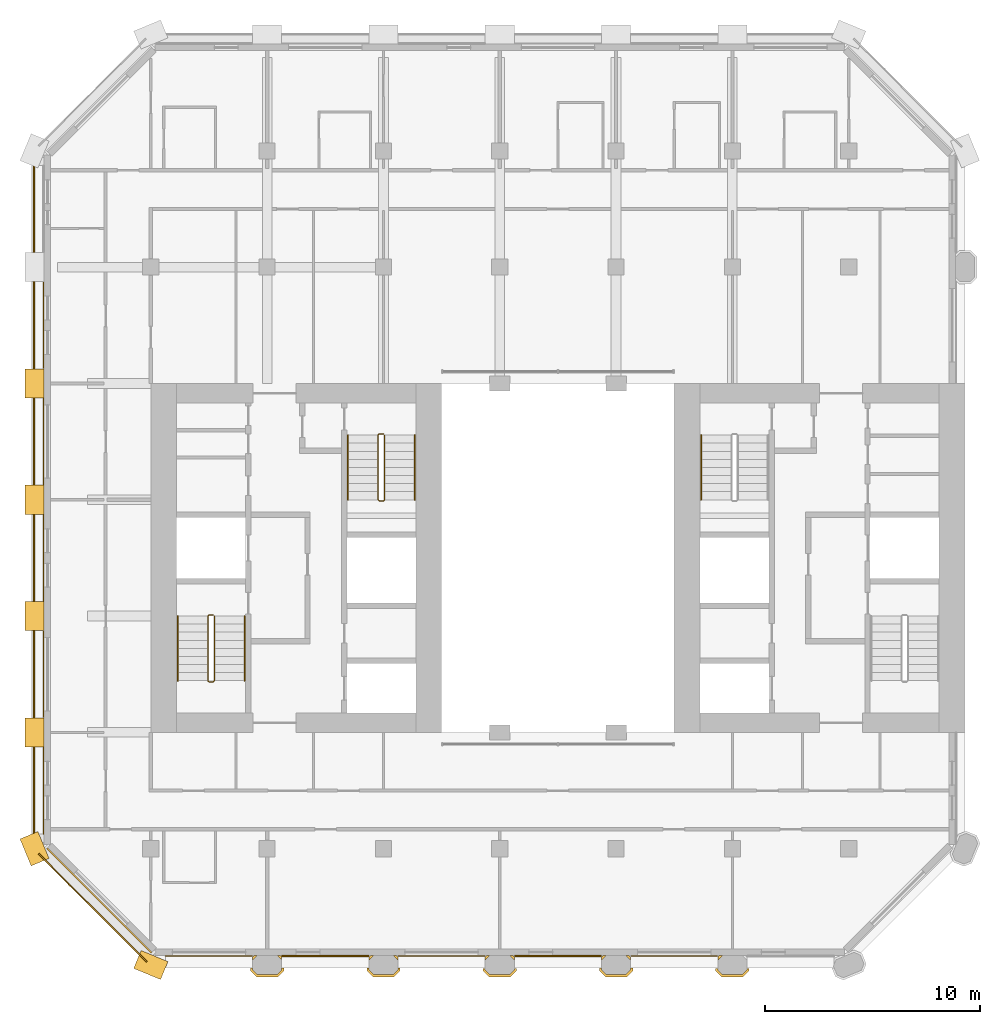
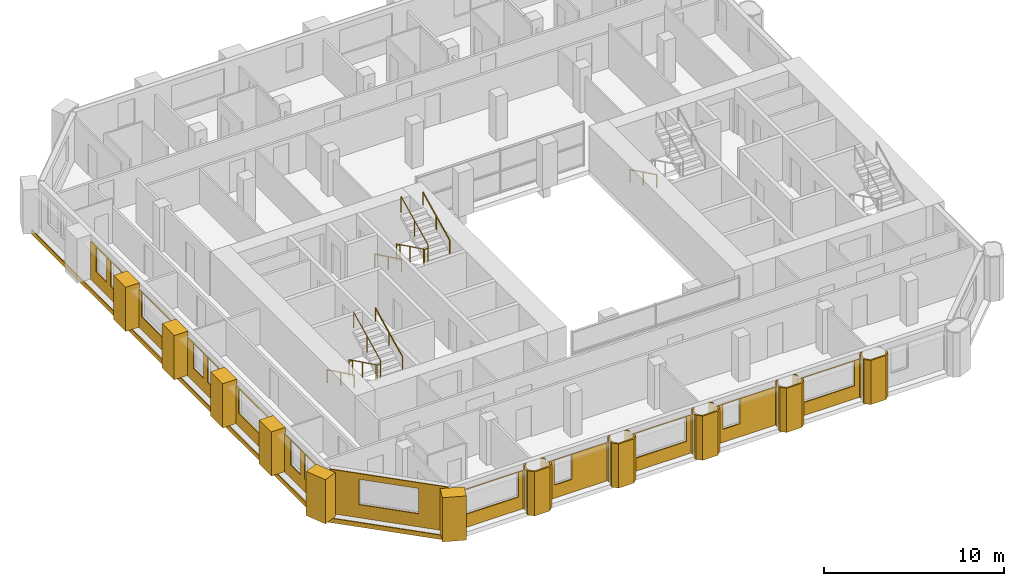
# One storey, part 12 of 14: 33 coverings, 7 railings.
"""IFC4 building model written with IfcOpenShell, lengths in metres."""

from ifc_helpers import new_model, si_unit, direction, frame, frame_2d, origin, origin_2d, place, context, subcontext, project, spatial, polyline, rectangle, circle, outline, extrude, material, layer, layer_set, type_object, element, save


model = new_model("IFC4")

# Units and contexts
model_context = context("Model", 3, precision=1e-05, world=origin(), true_north=direction((0.0, 1.0)))
body_context = subcontext(model_context, "Body", "Model", "MODEL_VIEW")
ifc_project = project(units=[si_unit("LENGTHUNIT", "METRE"), si_unit("AREAUNIT", "SQUARE_METRE"), si_unit("VOLUMEUNIT", "CUBIC_METRE"), si_unit("PLANEANGLEUNIT", "RADIAN"), si_unit("MASSUNIT", "GRAM", prefix="KILO")], contexts=[model_context])

# Site, building, storey
site_placement = place(None, origin())
site = spatial("IfcSite", under=ifc_project, at=site_placement, CompositionType="ELEMENT")
building_placement = place(site_placement, origin())
building = spatial("IfcBuilding", under=site, at=building_placement, Name="Tabaq Tower and Sports Hall", CompositionType="ELEMENT")
storey_placement = place(building_placement, frame((0.0, 0.0, 226.89990234375)))
storey = spatial("IfcBuildingStorey", under=building, at=storey_placement, Name="L57", CompositionType="ELEMENT", Elevation=226.89990234375)

# Coverings
ifc_material_1 = material(Name="Precast concrete C60/75", Category="concrete")
ifc_layer_1 = layer(ifc_material_1, 0.10009765625)
ifc_layer_set_1 = layer_set([ifc_layer_1], Name="Column cladding 100")
covering_type_1 = type_object("IfcCoveringType", Name="Column cladding 100", PredefinedType="CLADDING", material=ifc_layer_set_1)
covering_1_placement = place(storey_placement, origin())
element("IfcCovering", 1, at=covering_1_placement, inside=storey, type_object=covering_type_1, Name="Column cladding L57 PC-3B-H3", PredefinedType="CLADDING", context=body_context, shape_type="SweptSolid", body=[
    extrude(outline(polyline([(10.025390625, 5.249755859375), (10.124755859375, 5.249755859375), (10.124755859375, 5.1748046875), (10.349853515625, 4.94970703125), (11.250244140625, 4.94970703125), (11.475341796875, 5.1748046875), (11.475341796875, 5.249755859375), (11.57470703125, 5.249755859375), (11.57470703125, 5.1337890625), (11.291259765625, 4.850341796875), (10.30859375, 4.850341796875), (10.025390625, 5.1337890625), (10.025390625, 5.249755859375)])), origin(), (0.0, 0.0, 1.0), 3.0),
])
covering_2_placement = place(storey_placement, origin())
element("IfcCovering", 2, at=covering_2_placement, inside=storey, type_object=covering_type_1, Name="Column cladding L57 PC-3B-H3 2", PredefinedType="CLADDING", context=body_context, shape_type="SweptSolid", body=[
    extrude(outline(polyline([(10.208740234375, 5.849609375), (10.349365234375, 5.849609375), (10.125244140625, 5.625732421875), (10.125244140625, 5.766357421875), (10.208740234375, 5.849609375)])), origin(), (0.0, 0.0, 1.0), 3.0),
])
covering_3_placement = place(storey_placement, origin())
element("IfcCovering", 3, at=covering_3_placement, inside=storey, type_object=covering_type_1, Name="Column cladding L57 PC-3B-H3 3", PredefinedType="CLADDING", context=body_context, shape_type="SweptSolid", body=[
    extrude(outline(polyline([(11.474609375, 5.766357421875), (11.474609375, 5.625732421875), (11.250732421875, 5.849609375), (11.391357421875, 5.849609375), (11.474609375, 5.766357421875)])), origin(), (0.0, 0.0, 1.0), 3.0),
])
covering_4_placement = place(storey_placement, origin())
element("IfcCovering", 4, at=covering_4_placement, inside=storey, type_object=covering_type_1, Name="Column cladding L57 PC-4B-H3", PredefinedType="CLADDING", context=body_context, shape_type="SweptSolid", body=[
    extrude(outline(polyline([(15.42529296875, 5.249755859375), (15.524658203125, 5.249755859375), (15.524658203125, 5.1748046875), (15.749755859375, 4.94970703125), (16.650146484375, 4.94970703125), (16.875244140625, 5.1748046875), (16.875244140625, 5.249755859375), (16.974609375, 5.249755859375), (16.974609375, 5.1337890625), (16.69140625, 4.850341796875), (15.708740234375, 4.850341796875), (15.42529296875, 5.1337890625), (15.42529296875, 5.249755859375)])), origin(), (0.0, 0.0, 1.0), 3.0),
])
covering_5_placement = place(storey_placement, origin())
element("IfcCovering", 5, at=covering_5_placement, inside=storey, type_object=covering_type_1, Name="Column cladding L57 PC-4B-H3 2", PredefinedType="CLADDING", context=body_context, shape_type="SweptSolid", body=[
    extrude(outline(polyline([(16.874755859375, 5.766357421875), (16.874755859375, 5.625732421875), (16.650634765625, 5.849609375), (16.791259765625, 5.849609375), (16.874755859375, 5.766357421875)])), origin(), (0.0, 0.0, 1.0), 3.0),
])
covering_6_placement = place(storey_placement, origin())
element("IfcCovering", 6, at=covering_6_placement, inside=storey, type_object=covering_type_1, Name="Column cladding L57 PC-4B-H3 3", PredefinedType="CLADDING", context=body_context, shape_type="SweptSolid", body=[
    extrude(outline(polyline([(15.608642578125, 5.849609375), (15.749267578125, 5.849609375), (15.525390625, 5.625732421875), (15.525390625, 5.766357421875), (15.608642578125, 5.849609375)])), origin(), (0.0, 0.0, 1.0), 3.0),
])
covering_7_placement = place(storey_placement, origin())
element("IfcCovering", 7, at=covering_7_placement, inside=storey, type_object=covering_type_1, Name="Column cladding L57 PC-5B-H3", PredefinedType="CLADDING", context=body_context, shape_type="SweptSolid", body=[
    extrude(outline(polyline([(20.82568359375, 5.24951171875), (20.92431640625, 5.24951171875), (20.92431640625, 5.1748046875), (21.149658203125, 4.949462890625), (22.05029296875, 4.949462890625), (22.275634765625, 5.1748046875), (22.275634765625, 5.24951171875), (22.37451171875, 5.24951171875), (22.37451171875, 5.1337890625), (22.091064453125, 4.8505859375), (21.10888671875, 4.8505859375), (20.82568359375, 5.1337890625), (20.82568359375, 5.24951171875)])), origin(), (0.0, 0.0, 1.0), 3.0),
])
covering_8_placement = place(storey_placement, origin())
element("IfcCovering", 8, at=covering_8_placement, inside=storey, type_object=covering_type_1, Name="Column cladding L57 PC-5B-H3 2", PredefinedType="CLADDING", context=body_context, shape_type="SweptSolid", body=[
    extrude(outline(polyline([(22.274658203125, 5.766357421875), (22.274658203125, 5.625732421875), (22.05078125, 5.849609375), (22.19140625, 5.849609375), (22.274658203125, 5.766357421875)])), origin(), (0.0, 0.0, 1.0), 3.0),
])
covering_9_placement = place(storey_placement, origin())
element("IfcCovering", 9, at=covering_9_placement, inside=storey, type_object=covering_type_1, Name="Column cladding L57 PC-5B-H3 3", PredefinedType="CLADDING", context=body_context, shape_type="SweptSolid", body=[
    extrude(outline(polyline([(20.925537109375, 5.62646484375), (20.925537109375, 5.76611328125), (21.0087890625, 5.849365234375), (21.1484375, 5.849365234375), (20.925537109375, 5.62646484375)])), origin(), (0.0, 0.0, 1.0), 3.0),
])
covering_10_placement = place(storey_placement, origin())
element("IfcCovering", 10, at=covering_10_placement, inside=storey, type_object=covering_type_1, Name="Column cladding L57 PC-6B-H3", PredefinedType="CLADDING", context=body_context, shape_type="SweptSolid", body=[
    extrude(outline(polyline([(26.225341796875, 5.249755859375), (26.32470703125, 5.249755859375), (26.32470703125, 5.1748046875), (26.5498046875, 4.94970703125), (27.4501953125, 4.94970703125), (27.67529296875, 5.1748046875), (27.67529296875, 5.249755859375), (27.774658203125, 5.249755859375), (27.774658203125, 5.1337890625), (27.4912109375, 4.850341796875), (26.5087890625, 4.850341796875), (26.225341796875, 5.1337890625), (26.225341796875, 5.249755859375)])), origin(), (0.0, 0.0, 1.0), 3.0),
])
covering_11_placement = place(storey_placement, origin())
element("IfcCovering", 11, at=covering_11_placement, inside=storey, type_object=covering_type_1, Name="Column cladding L57 PC-6B-H3 2", PredefinedType="CLADDING", context=body_context, shape_type="SweptSolid", body=[
    extrude(outline(polyline([(26.40869140625, 5.849609375), (26.54931640625, 5.849609375), (26.3251953125, 5.625732421875), (26.3251953125, 5.766357421875), (26.40869140625, 5.849609375)])), origin(), (0.0, 0.0, 1.0), 3.0),
])
covering_12_placement = place(storey_placement, origin())
element("IfcCovering", 12, at=covering_12_placement, inside=storey, type_object=covering_type_1, Name="Column cladding L57 PC-6B-H3 3", PredefinedType="CLADDING", context=body_context, shape_type="SweptSolid", body=[
    extrude(outline(polyline([(27.6748046875, 5.766357421875), (27.6748046875, 5.625732421875), (27.45068359375, 5.849609375), (27.59130859375, 5.849609375), (27.6748046875, 5.766357421875)])), origin(), (0.0, 0.0, 1.0), 3.0),
])
covering_13_placement = place(storey_placement, origin())
element("IfcCovering", 13, at=covering_13_placement, inside=storey, type_object=covering_type_1, Name="Column cladding L57 PC-7B-H3", PredefinedType="CLADDING", context=body_context, shape_type="SweptSolid", body=[
    extrude(outline(polyline([(31.62548828125, 5.24951171875), (31.724365234375, 5.24951171875), (31.724365234375, 5.1748046875), (31.94970703125, 4.949462890625), (32.850341796875, 4.949462890625), (33.07568359375, 5.1748046875), (33.07568359375, 5.24951171875), (33.17431640625, 5.24951171875), (33.17431640625, 5.1337890625), (32.89111328125, 4.8505859375), (31.908935546875, 4.8505859375), (31.62548828125, 5.1337890625), (31.62548828125, 5.24951171875)])), origin(), (0.0, 0.0, 1.0), 3.0),
])
covering_14_placement = place(storey_placement, origin())
element("IfcCovering", 14, at=covering_14_placement, inside=storey, type_object=covering_type_1, Name="Column cladding L57 PC-7B-H3 2", PredefinedType="CLADDING", context=body_context, shape_type="SweptSolid", body=[
    extrude(outline(polyline([(31.80859375, 5.849609375), (31.94921875, 5.849609375), (31.725341796875, 5.625732421875), (31.725341796875, 5.766357421875), (31.80859375, 5.849609375)])), origin(), (0.0, 0.0, 1.0), 3.0),
])
ifc_material_2 = material(Name="Precast concrete C60/75", Category="concrete")
ifc_layer_2 = layer(ifc_material_2, 0.06005859375)
ifc_layer_set_2 = layer_set([ifc_layer_2], Name="Edge beam cladding 60")
covering_type_2 = type_object("IfcCoveringType", Name="Edge beam cladding 60", PredefinedType="CLADDING", material=ifc_layer_set_2)
covering_15_placement = place(storey_placement, frame((-0.030029296875, 42.9013671875, -0.2998046875), z_axis=(0.0, 0.0, 1.0), x_axis=(0.0, -1.0, 0.0)))
element("IfcCovering", 15, at=covering_15_placement, inside=storey, type_object=covering_type_2, Name="Edge beam cladding L57 4", PredefinedType="CLADDING", context=body_context, shape_type="SweptSolid", body=[
    extrude(rectangle(XDim=31.802734375, YDim=0.06005859375, at=frame_2d((15.9013671875, 0.0))), origin(), (0.0, 0.0, 1.0), 0.2998046875),
])
covering_16_placement = place(storey_placement, frame((0.18994140625, 10.567626953125, -0.2998046875), z_axis=(0.0, 0.0, 1.0), x_axis=(0.707106781187, -0.707106781187, 0.0)))
element("IfcCovering", 16, at=covering_16_placement, inside=storey, type_object=covering_type_2, Name="Edge beam cladding L57 5", PredefinedType="CLADDING", context=body_context, shape_type="SweptSolid", body=[
    extrude(rectangle(XDim=7.087890625, YDim=0.06005859375, at=frame_2d((3.5439453125, 0.0))), origin(), (0.0, 0.0, 1.0), 0.2998046875),
])
ifc_material_3 = material(Name="White precast concrete C60/75", Category="concrete")
covering_type_3 = type_object("IfcCoveringType", Name="Pier cladding hung 1350x900", PredefinedType="CLADDING", material=ifc_material_3)
for number, where, z_axis, x_axis, name in (
    (17, (-0.25830078125, 11.423583984375, 0.0), (0.0, 0.0, 1.0), (0.382649923473, -0.923893411637, 0.0), "Hung pier cladding 0/2"),
    (18, (0.0, 16.875, 0.0), (0.0, 0.0, 1.0), (0.0, -1.0, 0.0), "Hung pier cladding 0/3"),
):
    element("IfcCovering", number, at=place(storey_placement, frame(where, z_axis=z_axis, x_axis=x_axis)), inside=storey, type_object=covering_type_3, Name=name, PredefinedType="CLADDING", context=body_context, shape_type="SweptSolid", body=[
        extrude(rectangle(XDim=1.35009765625, YDim=0.89990234375, at=frame_2d((0.675048828125, 0.0))), origin(), (0.0, 0.0, 1.0), 3.0),
    ])
covering_17_placement = place(storey_placement, frame((0.0, 22.27490234375, 0.0), z_axis=(0.0, 0.0, 1.0), x_axis=(0.0, -1.0, 0.0)))
element("IfcCovering", 19, at=covering_17_placement, inside=storey, type_object=covering_type_3, Name="Hung pier cladding 0/4", PredefinedType="CLADDING", context=body_context, shape_type="SweptSolid", body=[
    extrude(rectangle(XDim=1.349853515625, YDim=0.89990234375, at=frame_2d((0.6748046875, 0.0))), origin(), (0.0, 0.0, 1.0), 3.0),
])
covering_18_placement = place(storey_placement, frame((0.0, 27.675048828125, 0.0), z_axis=(0.0, 0.0, 1.0), x_axis=(0.0, -1.0, 0.0)))
element("IfcCovering", 20, at=covering_18_placement, inside=storey, type_object=covering_type_3, Name="Hung pier cladding 0/5", PredefinedType="CLADDING", context=body_context, shape_type="SweptSolid", body=[
    extrude(rectangle(XDim=1.35009765625, YDim=0.89990234375, at=frame_2d((0.675048828125, 0.0))), origin(), (0.0, 0.0, 1.0), 3.0),
])
covering_19_placement = place(storey_placement, frame((0.0, 33.074951171875, 0.0), z_axis=(0.0, 0.0, 1.0), x_axis=(0.0, -1.0, 0.0)))
element("IfcCovering", 21, at=covering_19_placement, inside=storey, type_object=covering_type_3, Name="Hung pier cladding 0/6", PredefinedType="CLADDING", context=body_context, shape_type="SweptSolid", body=[
    extrude(rectangle(XDim=1.349853515625, YDim=0.89990234375, at=frame_2d((0.6748046875, 0.0))), origin(), (0.0, 0.0, 1.0), 3.0),
])
covering_20_placement = place(storey_placement, frame((4.7763671875, 5.658203125, 0.0), z_axis=(0.0, 0.0, 1.0), x_axis=(0.923893411637, -0.382649923473, 0.0)))
element("IfcCovering", 22, at=covering_20_placement, inside=storey, type_object=covering_type_3, Name="Hung pier cladding 1/1", PredefinedType="CLADDING", context=body_context, shape_type="SweptSolid", body=[
    extrude(rectangle(XDim=1.35009765625, YDim=0.89990234375, at=frame_2d((0.675048828125, 0.0))), origin(), (0.0, 0.0, 1.0), 3.0),
])

# Railings
ifc_material_4 = material(Name="Stainless steel", Category="steel")
railing_type_1 = type_object("IfcRailingType", Name="Stair guard", PredefinedType="GUARDRAIL", material=ifc_material_4)
railing_1_placement = place(storey_placement, frame((8.300048828125, 21.64990234375, 0.0)))
element("IfcRailing", 23, at=railing_1_placement, inside=storey, type_object=railing_type_1, Name="L57 ST1 stair guard 1", PredefinedType="GUARDRAIL", context=body_context, shape_type="SweptSolid", body=[
    extrude(circle(Radius=0.02392578125, at=origin_2d()), frame((0.0, 0.0, 1.076171875), z_axis=(-1.0, 0.0, 0.0), x_axis=(0.0, -1.0, 0.0)), (0.0, 0.0, 1.0), 0.199951171875),
    extrude(circle(Radius=0.02392578125, at=origin_2d()), frame((-0.199951171875, 0.0, 1.076171875), z_axis=(-0.254733673405, -0.25349107012, 0.933195066962), x_axis=(0.705375805398, -0.708833529934, 0.0)), (0.0, 0.0, 1.0), 0.196533203125),
    extrude(circle(Radius=0.02392578125, at=origin_2d()), frame((-0.25, -0.0498046875, 1.25927734375), z_axis=(0.0, -0.898368975038, 0.439241601728), x_axis=(1.0, 0.0, 0.0)), (0.0, 0.0, 1.0), 3.33935546875),
    extrude(circle(Radius=0.02392578125, at=origin_2d()), frame((-0.25, -3.0498046875, 2.72607421875), z_axis=(0.707106781187, -0.707106781187, 0.0), x_axis=(0.707106781187, 0.707106781187, 0.0)), (0.0, 0.0, 1.0), 0.07080078125),
    extrude(circle(Radius=0.02392578125, at=origin_2d()), frame((-0.199951171875, -3.099853515625, 2.72607421875), z_axis=(1.0, 0.0, 0.0), x_axis=(0.0, 1.0, 0.0)), (0.0, 0.0, 1.0), 0.199951171875),
    extrude(circle(Radius=0.02392578125, at=origin_2d()), frame((0.0, -3.099853515625, 2.72607421875), z_axis=(0.254653276557, 0.254653276557, 0.932900539971), x_axis=(-0.707106781187, 0.707106781187, 0.0)), (0.0, 0.0, 1.0), 0.196533203125),
    extrude(circle(Radius=0.02392578125, at=origin_2d()), frame((0.050048828125, -3.0498046875, 2.90966796875), z_axis=(0.0, 0.898397823093, 0.439182594671), x_axis=(-1.0, 0.0, 0.0)), (0.0, 0.0, 1.0), 3.33935546875),
    extrude(circle(Radius=0.02099609375, at=origin_2d()), origin(), (0.0, 0.0, 1.0), 1.052001953125),
    extrude(circle(Radius=0.02099609375, at=origin_2d()), frame((-0.199951171875, 0.0, 0.0)), (0.0, 0.0, 1.0), 1.052001953125),
    extrude(circle(Radius=0.02099609375, at=origin_2d()), frame((-0.25, -0.0498046875, 0.183349609375)), (0.0, 0.0, 1.0), 1.052001953125),
    extrude(circle(Radius=0.02099609375, at=origin_2d()), frame((-0.25, -1.5498046875, 0.916748046875)), (0.0, 0.0, 1.0), 1.052001953125),
    extrude(circle(Radius=0.02099609375, at=origin_2d()), frame((-0.25, -3.0498046875, 1.650146484375)), (0.0, 0.0, 1.0), 1.052001953125),
    extrude(circle(Radius=0.02099609375, at=origin_2d()), frame((-0.199951171875, -3.099853515625, 1.650146484375)), (0.0, 0.0, 1.0), 1.052001953125),
    extrude(circle(Radius=0.02099609375, at=origin_2d()), frame((0.0, -3.099853515625, 1.650146484375)), (0.0, 0.0, 1.0), 1.052001953125),
    extrude(circle(Radius=0.02099609375, at=origin_2d()), frame((0.050048828125, -3.0498046875, 1.83349609375)), (0.0, 0.0, 1.0), 1.052001953125),
    extrude(circle(Radius=0.02099609375, at=origin_2d()), frame((0.050048828125, -1.5498046875, 2.56689453125)), (0.0, 0.0, 1.0), 1.052001953125),
    extrude(circle(Radius=0.02099609375, at=origin_2d()), frame((0.050048828125, -0.0498046875, 3.300048828125)), (0.0, 0.0, 1.0), 1.052001953125),
])
railing_2_placement = place(storey_placement, frame((16.199951171875, 30.050048828125, 0.0)))
element("IfcRailing", 24, at=railing_2_placement, inside=storey, type_object=railing_type_1, Name="L57 ST2 stair guard 1", PredefinedType="GUARDRAIL", context=body_context, shape_type="SweptSolid", body=[
    extrude(circle(Radius=0.02392578125, at=origin_2d()), frame((0.0, 0.0, 1.076171875), z_axis=(-1.0, 0.0, 0.0), x_axis=(0.0, -1.0, 0.0)), (0.0, 0.0, 1.0), 0.199951171875),
    extrude(circle(Radius=0.02392578125, at=origin_2d()), frame((-0.199951171875, 0.0, 1.076171875), z_axis=(-0.254653276557, -0.254653276557, 0.932900539971), x_axis=(0.707106781187, -0.707106781187, 0.0)), (0.0, 0.0, 1.0), 0.196533203125),
    extrude(circle(Radius=0.02392578125, at=origin_2d()), frame((-0.25, -0.050048828125, 1.25927734375), z_axis=(0.0, -0.898368975038, 0.439241601728), x_axis=(1.0, 0.0, 0.0)), (0.0, 0.0, 1.0), 3.33935546875),
    extrude(circle(Radius=0.02392578125, at=origin_2d()), frame((-0.25, -3.050048828125, 2.72607421875), z_axis=(0.707106781187, -0.707106781187, 0.0), x_axis=(0.707106781187, 0.707106781187, 0.0)), (0.0, 0.0, 1.0), 0.07080078125),
    extrude(circle(Radius=0.02392578125, at=origin_2d()), frame((-0.199951171875, -3.10009765625, 2.72607421875), z_axis=(1.0, 0.0, 0.0), x_axis=(0.0, 1.0, 0.0)), (0.0, 0.0, 1.0), 0.199951171875),
    extrude(circle(Radius=0.02392578125, at=origin_2d()), frame((0.0, -3.10009765625, 2.72607421875), z_axis=(0.254653276557, 0.254653276557, 0.932900539971), x_axis=(-0.707106781187, 0.707106781187, 0.0)), (0.0, 0.0, 1.0), 0.196533203125),
    extrude(circle(Radius=0.02392578125, at=origin_2d()), frame((0.050048828125, -3.050048828125, 2.90966796875), z_axis=(0.0, 0.898397823093, 0.439182594671), x_axis=(-1.0, 0.0, 0.0)), (0.0, 0.0, 1.0), 3.33935546875),
    extrude(circle(Radius=0.02099609375, at=origin_2d()), origin(), (0.0, 0.0, 1.0), 1.052001953125),
    extrude(circle(Radius=0.02099609375, at=origin_2d()), frame((-0.199951171875, 0.0, 0.0)), (0.0, 0.0, 1.0), 1.052001953125),
    extrude(circle(Radius=0.02099609375, at=origin_2d()), frame((-0.25, -0.050048828125, 0.183349609375)), (0.0, 0.0, 1.0), 1.052001953125),
    extrude(circle(Radius=0.02099609375, at=origin_2d()), frame((-0.25, -1.550048828125, 0.916748046875)), (0.0, 0.0, 1.0), 1.052001953125),
    extrude(circle(Radius=0.02099609375, at=origin_2d()), frame((-0.25, -3.050048828125, 1.650146484375)), (0.0, 0.0, 1.0), 1.052001953125),
    extrude(circle(Radius=0.02099609375, at=origin_2d()), frame((-0.199951171875, -3.10009765625, 1.650146484375)), (0.0, 0.0, 1.0), 1.052001953125),
    extrude(circle(Radius=0.02099609375, at=origin_2d()), frame((0.0, -3.10009765625, 1.650146484375)), (0.0, 0.0, 1.0), 1.052001953125),
    extrude(circle(Radius=0.02099609375, at=origin_2d()), frame((0.050048828125, -3.050048828125, 1.83349609375)), (0.0, 0.0, 1.0), 1.052001953125),
    extrude(circle(Radius=0.02099609375, at=origin_2d()), frame((0.050048828125, -1.550048828125, 2.56689453125)), (0.0, 0.0, 1.0), 1.052001953125),
    extrude(circle(Radius=0.02099609375, at=origin_2d()), frame((0.050048828125, -0.050048828125, 3.300048828125)), (0.0, 0.0, 1.0), 1.052001953125),
])
ifc_material_5 = material(Name="Stainless steel", Category="steel")
railing_type_2 = type_object("IfcRailingType", Name="Stair handrail", PredefinedType="HANDRAIL", material=ifc_material_5)
railing_3_placement = place(storey_placement, frame((6.64990234375, 21.60009765625, 0.183349609375)))
element("IfcRailing", 25, at=railing_3_placement, inside=storey, type_object=railing_type_2, Name="L57 ST1 stair handrail 1", PredefinedType="HANDRAIL", context=body_context, shape_type="SweptSolid", body=[
    extrude(circle(Radius=0.02392578125, at=origin_2d()), frame((0.0, 0.0, 0.8759765625), z_axis=(0.0, -0.898368975038, 0.439241601728), x_axis=(1.0, 0.0, 0.0)), (0.0, 0.0, 1.0), 3.33935546875),
    extrude(circle(Radius=0.02099609375, at=origin_2d()), origin(), (0.0, 0.0, 1.0), 0.851806640625),
    extrude(circle(Radius=0.02099609375, at=origin_2d()), frame((0.0, -1.5, 0.7333984375)), (0.0, 0.0, 1.0), 0.851806640625),
    extrude(circle(Radius=0.02099609375, at=origin_2d()), frame((0.0, -3.0, 1.466796875)), (0.0, 0.0, 1.0), 0.851806640625),
])
railing_4_placement = place(storey_placement, frame((9.75, 18.60009765625, 1.83349609375)))
element("IfcRailing", 26, at=railing_4_placement, inside=storey, type_object=railing_type_2, Name="L57 ST1 stair handrail 2", PredefinedType="HANDRAIL", context=body_context, shape_type="SweptSolid", body=[
    extrude(circle(Radius=0.02392578125, at=origin_2d()), frame((0.0, 0.0, 0.8759765625), z_axis=(0.0, 0.898397823093, 0.439182594671), x_axis=(-1.0, 0.0, 0.0)), (0.0, 0.0, 1.0), 3.33935546875),
    extrude(circle(Radius=0.02099609375, at=origin_2d()), origin(), (0.0, 0.0, 1.0), 0.851806640625),
    extrude(circle(Radius=0.02099609375, at=origin_2d()), frame((0.0, 1.5, 0.7333984375)), (0.0, 0.0, 1.0), 0.851806640625),
    extrude(circle(Radius=0.02099609375, at=origin_2d()), frame((0.0, 3.0, 1.466552734375)), (0.0, 0.0, 1.0), 0.851806640625),
])
railing_5_placement = place(storey_placement, frame((14.550048828125, 30.0, 0.183349609375)))
element("IfcRailing", 27, at=railing_5_placement, inside=storey, type_object=railing_type_2, Name="L57 ST2 stair handrail 1", PredefinedType="HANDRAIL", context=body_context, shape_type="SweptSolid", body=[
    extrude(circle(Radius=0.02392578125, at=origin_2d()), frame((0.0, 0.0, 0.8759765625), z_axis=(0.0, -0.898368975038, 0.439241601728), x_axis=(1.0, 0.0, 0.0)), (0.0, 0.0, 1.0), 3.33935546875),
    extrude(circle(Radius=0.02099609375, at=origin_2d()), origin(), (0.0, 0.0, 1.0), 0.851806640625),
    extrude(circle(Radius=0.02099609375, at=origin_2d()), frame((0.0, -1.5, 0.7333984375)), (0.0, 0.0, 1.0), 0.851806640625),
    extrude(circle(Radius=0.02099609375, at=origin_2d()), frame((0.0, -3.0, 1.466796875)), (0.0, 0.0, 1.0), 0.851806640625),
])
railing_6_placement = place(storey_placement, frame((17.64990234375, 27.0, 1.83349609375)))
element("IfcRailing", 28, at=railing_6_placement, inside=storey, type_object=railing_type_2, Name="L57 ST2 stair handrail 2", PredefinedType="HANDRAIL", context=body_context, shape_type="SweptSolid", body=[
    extrude(circle(Radius=0.02392578125, at=origin_2d()), frame((0.0, 0.0, 0.8759765625), z_axis=(0.0, 0.898397823093, 0.439182594671), x_axis=(-1.0, 0.0, 0.0)), (0.0, 0.0, 1.0), 3.33935546875),
    extrude(circle(Radius=0.02099609375, at=origin_2d()), origin(), (0.0, 0.0, 1.0), 0.851806640625),
    extrude(circle(Radius=0.02099609375, at=origin_2d()), frame((0.0, 1.5, 0.7333984375)), (0.0, 0.0, 1.0), 0.851806640625),
    extrude(circle(Radius=0.02099609375, at=origin_2d()), frame((0.0, 3.0, 1.466552734375)), (0.0, 0.0, 1.0), 0.851806640625),
])
railing_7_placement = place(storey_placement, frame((30.949951171875, 30.0, 0.183349609375)))
element("IfcRailing", 29, at=railing_7_placement, inside=storey, type_object=railing_type_2, Name="L57 ST4 stair handrail 1", PredefinedType="HANDRAIL", context=body_context, shape_type="SweptSolid", body=[
    extrude(circle(Radius=0.02392578125, at=origin_2d()), frame((0.0, 0.0, 0.8759765625), z_axis=(0.0, -0.898368975038, 0.439241601728), x_axis=(1.0, 0.0, 0.0)), (0.0, 0.0, 1.0), 3.33935546875),
    extrude(circle(Radius=0.02099609375, at=origin_2d()), origin(), (0.0, 0.0, 1.0), 0.851806640625),
    extrude(circle(Radius=0.02099609375, at=origin_2d()), frame((0.0, -1.5, 0.7333984375)), (0.0, 0.0, 1.0), 0.851806640625),
    extrude(circle(Radius=0.02099609375, at=origin_2d()), frame((0.0, -3.0, 1.466796875)), (0.0, 0.0, 1.0), 0.851806640625),
])

# Coverings
ifc_material_6 = material(Name="Precast concrete C60/75", Category="concrete")
ifc_layer_3 = layer(ifc_material_6, 0.06005859375)
ifc_layer_set_3 = layer_set([ifc_layer_3], Name="White precast cladding panel 60 C60/75")
covering_type_4 = type_object("IfcCoveringType", Name="White precast cladding panel 60 C60/75", PredefinedType="CLADDING", material=ifc_layer_set_3)
covering_21_placement = place(storey_placement, frame((6.06494140625, 5.820068359375, 0.0), z_axis=(0.0, 0.0, 1.0), x_axis=(1.0, 0.0, 0.0)))
element("IfcCovering", 30, at=covering_21_placement, inside=storey, type_object=covering_type_4, Name="White precast cladding panel L57 wall00", PredefinedType="CLADDING", context=body_context, shape_type="SweptSolid", body=[
    extrude(outline(polyline([(0.0, 0.0), (4.050048828125, 0.0), (4.050048828125, 2.590087890625), (0.0, 2.590087890625), (0.0, 0.0)]), holes=[polyline([(3.7451171875, 0.89013671875), (0.324951171875, 0.89013671875), (0.324951171875, 2.56005859375), (3.7451171875, 2.56005859375), (3.7451171875, 0.89013671875)])]), frame((0.0, 0.030029296875, 0.0), z_axis=(0.0, -1.0, 0.0), x_axis=(1.0, 0.0, 0.0)), (0.0, 0.0, 1.0), 0.06005859375),
])
covering_22_placement = place(storey_placement, frame((11.485107421875, 5.820068359375, 0.0), z_axis=(0.0, 0.0, 1.0), x_axis=(1.0, 0.0, 0.0)))
element("IfcCovering", 31, at=covering_22_placement, inside=storey, type_object=covering_type_4, Name="White precast cladding panel L57 wall00 2", PredefinedType="CLADDING", context=body_context, shape_type="SweptSolid", body=[
    extrude(outline(polyline([(0.0, 0.0), (4.02978515625, 0.0), (4.02978515625, 2.590087890625), (0.0, 2.590087890625), (0.0, 0.0)]), holes=[polyline([(1.77490234375, 0.89013671875), (0.655029296875, 0.89013671875), (0.655029296875, 2.56005859375), (1.77490234375, 2.56005859375), (1.77490234375, 0.89013671875)])]), frame((0.0, 0.030029296875, 0.0), z_axis=(0.0, -1.0, 0.0), x_axis=(1.0, 0.0, 0.0)), (0.0, 0.0, 1.0), 0.06005859375),
])
covering_23_placement = place(storey_placement, frame((16.885009765625, 5.820068359375, 0.0), z_axis=(0.0, 0.0, 1.0), x_axis=(1.0, 0.0, 0.0)))
element("IfcCovering", 32, at=covering_23_placement, inside=storey, type_object=covering_type_4, Name="White precast cladding panel L57 wall00 3", PredefinedType="CLADDING", context=body_context, shape_type="SweptSolid", body=[
    extrude(outline(polyline([(0.0, 0.0), (4.030029296875, 0.0), (4.030029296875, 2.590087890625), (0.0, 2.590087890625), (0.0, 0.0)]), holes=[polyline([(3.72509765625, 0.89013671875), (0.304931640625, 0.89013671875), (0.304931640625, 2.56005859375), (3.72509765625, 2.56005859375), (3.72509765625, 0.89013671875)])]), frame((0.0, 0.030029296875, 0.0), z_axis=(0.0, -1.0, 0.0), x_axis=(1.0, 0.0, 0.0)), (0.0, 0.0, 1.0), 0.06005859375),
])
covering_24_placement = place(storey_placement, frame((22.284912109375, 5.820068359375, 0.0), z_axis=(0.0, 0.0, 1.0), x_axis=(1.0, 0.0, 0.0)))
element("IfcCovering", 33, at=covering_24_placement, inside=storey, type_object=covering_type_4, Name="White precast cladding panel L57 wall00 4", PredefinedType="CLADDING", context=body_context, shape_type="SweptSolid", body=[
    extrude(outline(polyline([(0.0, 0.0), (4.030029296875, 0.0), (4.030029296875, 2.590087890625), (0.0, 2.590087890625), (0.0, 0.0)]), holes=[polyline([(1.77490234375, 0.89013671875), (0.655029296875, 0.89013671875), (0.655029296875, 2.56005859375), (1.77490234375, 2.56005859375), (1.77490234375, 0.89013671875)])]), frame((0.0, 0.030029296875, 0.0), z_axis=(0.0, -1.0, 0.0), x_axis=(1.0, 0.0, 0.0)), (0.0, 0.0, 1.0), 0.06005859375),
])
covering_25_placement = place(storey_placement, frame((27.68505859375, 5.820068359375, 0.0), z_axis=(0.0, 0.0, 1.0), x_axis=(1.0, 0.0, 0.0)))
element("IfcCovering", 34, at=covering_25_placement, inside=storey, type_object=covering_type_4, Name="White precast cladding panel L57 wall00 5", PredefinedType="CLADDING", context=body_context, shape_type="SweptSolid", body=[
    extrude(outline(polyline([(0.0, 0.0), (4.030029296875, 0.0), (4.030029296875, 2.590087890625), (0.0, 2.590087890625), (0.0, 0.0)]), holes=[polyline([(3.72509765625, 0.89013671875), (0.304931640625, 0.89013671875), (0.304931640625, 2.56005859375), (3.72509765625, 2.56005859375), (3.72509765625, 0.89013671875)])]), frame((0.0, 0.030029296875, 0.0), z_axis=(0.0, -1.0, 0.0), x_axis=(1.0, 0.0, 0.0)), (0.0, 0.0, 1.0), 0.06005859375),
])
covering_26_placement = place(storey_placement, frame((0.419921875, 37.114990234375, 0.0), z_axis=(0.0, 0.0, 1.0), x_axis=(0.0, -1.0, 0.0)))
element("IfcCovering", 35, at=covering_26_placement, inside=storey, type_object=covering_type_4, Name="White precast cladding panel L57 wall06 2", PredefinedType="CLADDING", context=body_context, shape_type="SweptSolid", body=[
    extrude(outline(polyline([(0.0, 0.0), (4.030029296875, 0.0), (4.030029296875, 2.590087890625), (0.0, 2.590087890625), (0.0, 0.0)]), holes=[polyline([(0.655029296875, 0.89013671875), (0.655029296875, 2.56005859375), (1.77490234375, 2.56005859375), (1.77490234375, 0.89013671875), (0.655029296875, 0.89013671875)]), polyline([(2.2548828125, 0.89013671875), (2.2548828125, 2.56005859375), (3.375, 2.56005859375), (3.375, 0.89013671875), (2.2548828125, 0.89013671875)])]), frame((0.0, 0.030029296875, 0.0), z_axis=(0.0, -1.0, 0.0), x_axis=(1.0, 0.0, 0.0)), (0.0, 0.0, 1.0), 0.06005859375),
])
covering_27_placement = place(storey_placement, frame((0.419921875, 31.715087890625, 0.0), z_axis=(0.0, 0.0, 1.0), x_axis=(0.0, -1.0, 0.0)))
element("IfcCovering", 36, at=covering_27_placement, inside=storey, type_object=covering_type_4, Name="White precast cladding panel L57 wall06 3", PredefinedType="CLADDING", context=body_context, shape_type="SweptSolid", body=[
    extrude(outline(polyline([(0.0, 0.0), (4.030029296875, 0.0), (4.030029296875, 2.590087890625), (0.0, 2.590087890625), (0.0, 0.0)]), holes=[polyline([(3.72509765625, 0.89013671875), (0.304931640625, 0.89013671875), (0.304931640625, 2.56005859375), (3.72509765625, 2.56005859375), (3.72509765625, 0.89013671875)])]), frame((0.0, 0.030029296875, 0.0), z_axis=(0.0, -1.0, 0.0), x_axis=(1.0, 0.0, 0.0)), (0.0, 0.0, 1.0), 0.06005859375),
])
covering_28_placement = place(storey_placement, frame((0.419921875, 26.31494140625, 0.0), z_axis=(0.0, 0.0, 1.0), x_axis=(0.0, -1.0, 0.0)))
element("IfcCovering", 37, at=covering_28_placement, inside=storey, type_object=covering_type_4, Name="White precast cladding panel L57 wall06 4", PredefinedType="CLADDING", context=body_context, shape_type="SweptSolid", body=[
    extrude(outline(polyline([(0.0, 0.0), (4.030029296875, 0.0), (4.030029296875, 2.590087890625), (0.0, 2.590087890625), (0.0, 0.0)]), holes=[polyline([(0.655029296875, 0.89013671875), (0.655029296875, 2.56005859375), (1.77490234375, 2.56005859375), (1.77490234375, 0.89013671875), (0.655029296875, 0.89013671875)]), polyline([(2.2548828125, 0.89013671875), (2.2548828125, 2.56005859375), (3.375, 2.56005859375), (3.375, 0.89013671875), (2.2548828125, 0.89013671875)])]), frame((0.0, 0.030029296875, 0.0), z_axis=(0.0, -1.0, 0.0), x_axis=(1.0, 0.0, 0.0)), (0.0, 0.0, 1.0), 0.06005859375),
])
covering_29_placement = place(storey_placement, frame((0.419921875, 20.9150390625, 0.0), z_axis=(0.0, 0.0, 1.0), x_axis=(0.0, -1.0, 0.0)))
element("IfcCovering", 38, at=covering_29_placement, inside=storey, type_object=covering_type_4, Name="White precast cladding panel L57 wall06 5", PredefinedType="CLADDING", context=body_context, shape_type="SweptSolid", body=[
    extrude(outline(polyline([(0.0, 0.0), (4.030029296875, 0.0), (4.030029296875, 2.590087890625), (0.0, 2.590087890625), (0.0, 0.0)]), holes=[polyline([(3.72509765625, 0.89013671875), (0.304931640625, 0.89013671875), (0.304931640625, 2.56005859375), (3.72509765625, 2.56005859375), (3.72509765625, 0.89013671875)])]), frame((0.0, 0.030029296875, 0.0), z_axis=(0.0, -1.0, 0.0), x_axis=(1.0, 0.0, 0.0)), (0.0, 0.0, 1.0), 0.06005859375),
])
covering_30_placement = place(storey_placement, frame((0.419921875, 15.514892578125, 0.0), z_axis=(0.0, 0.0, 1.0), x_axis=(0.0, -1.0, 0.0)))
element("IfcCovering", 39, at=covering_30_placement, inside=storey, type_object=covering_type_4, Name="White precast cladding panel L57 wall06 6", PredefinedType="CLADDING", context=body_context, shape_type="SweptSolid", body=[
    extrude(outline(polyline([(0.0, 0.0), (4.0498046875, 0.0), (4.0498046875, 2.590087890625), (0.0, 2.590087890625), (0.0, 0.0)]), holes=[polyline([(0.655029296875, 0.89013671875), (0.655029296875, 2.56005859375), (1.77490234375, 2.56005859375), (1.77490234375, 0.89013671875), (0.655029296875, 0.89013671875)]), polyline([(2.2548828125, 0.89013671875), (2.2548828125, 2.56005859375), (3.375, 2.56005859375), (3.375, 0.89013671875), (2.2548828125, 0.89013671875)])]), frame((0.0, 0.030029296875, 0.0), z_axis=(0.0, -1.0, 0.0), x_axis=(1.0, 0.0, 0.0)), (0.0, 0.0, 1.0), 0.06005859375),
])
covering_31_placement = place(storey_placement, frame((0.57177734375, 10.822265625, 0.0), z_axis=(0.0, 0.0, 1.0), x_axis=(0.707106781187, -0.707106781187, 0.0)))
element("IfcCovering", 40, at=covering_31_placement, inside=storey, type_object=covering_type_4, Name="White precast cladding panel L57 wall07", PredefinedType="CLADDING", context=body_context, shape_type="SweptSolid", body=[
    extrude(outline(polyline([(0.0, 0.0), (6.85986328125, 0.0), (6.85986328125, 3.0), (0.0, 3.0), (0.0, 0.0)]), holes=[polyline([(1.7197265625, 0.89013671875), (1.7197265625, 2.610107421875), (5.139892578125, 2.610107421875), (5.139892578125, 0.89013671875), (1.7197265625, 0.89013671875)])]), frame((0.0, 0.030029296875, 0.0), z_axis=(0.0, -1.0, 0.0), x_axis=(1.0, 0.0, 0.0)), (0.0, 0.0, 1.0), 0.06005859375),
])

save(model, "model.ifc")
